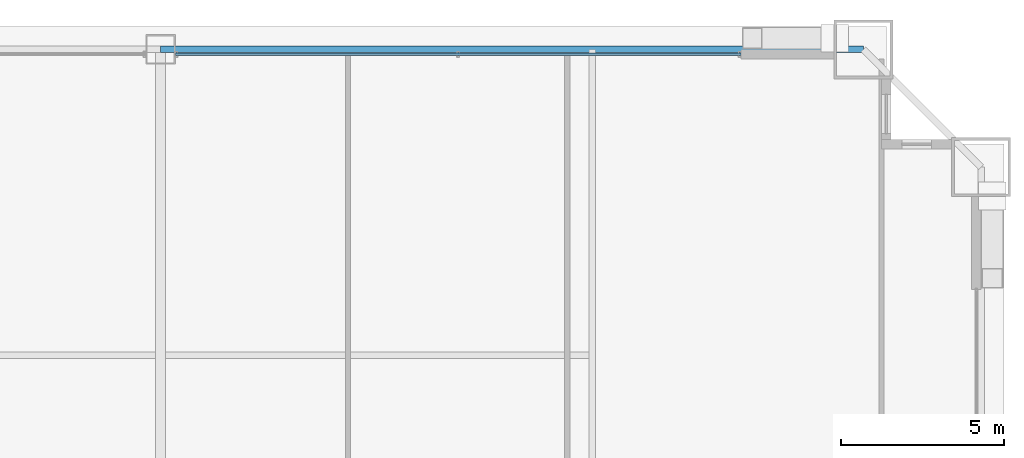
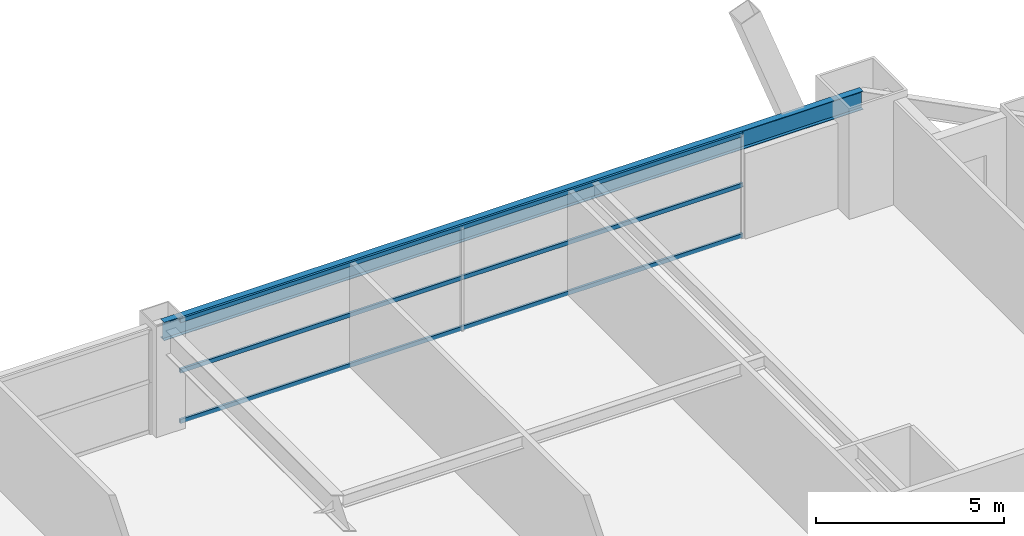
# One storey, part 36 of 43: 3 members, 1 beam, 1 element without a shape of its own.
"""IFC4 building model written with IfcOpenShell, lengths in metres."""

from ifc_helpers import new_model, si_unit, direction, frame, origin, origin_2d, place, context, subcontext, project, spatial, hollow_rectangle, i_section, extrude, source, transform, mapped, material, layer, layer_set, material_profile, profile_set, type_object, element, aggregate, save


model = new_model("IFC4")

# Units and contexts
model_context = context("Model", 3, precision=1e-05, world=origin(), true_north=direction((0.0, 1.0)))
body_context = subcontext(model_context, "Body", "Model", "MODEL_VIEW")
ifc_project = project(units=[si_unit("LENGTHUNIT", "METRE"), si_unit("AREAUNIT", "SQUARE_METRE"), si_unit("VOLUMEUNIT", "CUBIC_METRE"), si_unit("PLANEANGLEUNIT", "RADIAN"), si_unit("MASSUNIT", "GRAM", prefix="KILO"), si_unit("THERMODYNAMICTEMPERATUREUNIT", "KELVIN"), si_unit("POWERUNIT", "WATT")], contexts=[model_context])

# Site, building, storey
site_placement = place(None, origin())
site = spatial("IfcSite", under=ifc_project, at=site_placement, CompositionType="ELEMENT")
building_placement = place(site_placement, origin())
building = spatial("IfcBuilding", under=site, at=building_placement, Name="Yuzanri Waterfront Tower", CompositionType="ELEMENT")
storey_placement = place(building_placement, frame((0.0, 0.0, 60.39990234375)))
storey = spatial("IfcBuildingStorey", under=building, at=storey_placement, Name="L15", CompositionType="ELEMENT", Elevation=60.39990234375)

# Beam
ifc_material_1 = material(Name="Steel Q355B", Category="steel")
ifc_material_profile_1 = material_profile(ifc_material_1, i_section(OverallWidth=0.199951171875, OverallDepth=0.60009765625, WebThickness=0.010986328125, FlangeThickness=0.01708984375, at=origin_2d()), Name="HN 600x200x11x17")
ifc_profile_set_1 = profile_set([ifc_material_profile_1], Name="Steel Q355B")
beam_type = type_object("IfcBeamType", Name="Perimeter Spandrel Q355B HN 600x200", PredefinedType="SPANDREL", material=ifc_profile_set_1)
shared_shape_1 = source(origin(), body_context, "Body", "SweptSolid", [
    extrude(i_section(OverallWidth=0.199951171875, OverallDepth=0.60009765625, WebThickness=0.010986328125, FlangeThickness=0.01708984375, at=origin_2d()), origin(), (0.0, 0.0, 1.0), 21.5),
])
beam_placement = place(storey_placement, frame((58.5, 50.89990234375, 3.080078125), z_axis=(-1.0, 0.0, 0.0), x_axis=(0.0, -1.0, 0.0)))
element("IfcBeam", 1, at=beam_placement, inside=storey, type_object=beam_type, Name="L15 Perimeter Spandrel N3-N2", PredefinedType="SPANDREL", context=body_context, shape_type="MappedRepresentation", body=[
    mapped(shared_shape_1, transform((0.0, 0.0, 0.0), scale=1.0)),
])

# Curtain wall, members
ifc_material_2 = material(Name="Anodized Architectural Bronze", Category="metal")
ifc_layer = layer(ifc_material_2, 0.159912109375)
ifc_layer_set = layer_set([ifc_layer], Name="Anodized Architectural Bronze")
curtain_wall_type = type_object("IfcCurtainWallType", Name="Anodized Bronze Hotel Lower-Tier Recessed Unitized Curtain Wall 8100", PredefinedType="NOTDEFINED", material=ifc_layer_set)
curtain_wall_placement = place(storey_placement, origin())
curtain_wall = element("IfcCurtainWall", 2, at=curtain_wall_placement, inside=storey, type_object=curtain_wall_type, Name="L15 Curtain Wall CW-L15-NR", PredefinedType="NOTDEFINED")
ifc_material_3 = material(Name="Anodized Architectural Bronze", Category="metal")
ifc_material_profile_2 = material_profile(ifc_material_3, hollow_rectangle(XDim=0.070068359375, YDim=0.135009765625, WallThickness=0.00341796875, at=origin_2d()), Name="CWT 70x135")
ifc_profile_set_2 = profile_set([ifc_material_profile_2], Name="Anodized Architectural Bronze")
member_type = type_object("IfcMemberType", Name="Anodized Bronze Standard Curtain-Wall Transom 70x135", PredefinedType="USERDEFINED", material=ifc_profile_set_2)
shared_shape_2 = source(origin(), body_context, "Body", "SweptSolid", [
    extrude(hollow_rectangle(XDim=0.070068359375, YDim=0.135009765625, WallThickness=0.00341796875, at=origin_2d()), origin(), (0.0, 0.0, 1.0), 17.300048828125),
])
member_1_placement = place(storey_placement, frame((37.449951171875, 50.75, 0.050048828125), z_axis=(1.0, 0.0, 0.0), x_axis=(0.0, 1.0, 0.0)))
member_1 = element("IfcMember", 3, at=member_1_placement, type_object=member_type, Name="CW-L15-NR Transom 1", ObjectType="TRANSOM", PredefinedType="USERDEFINED", context=body_context, shape_type="MappedRepresentation", body=[
    mapped(shared_shape_2, transform((0.0, 0.0, 0.0), scale=1.0)),
])
member_2_placement = place(storey_placement, frame((37.449951171875, 50.75, 1.690185546875), z_axis=(1.0, 0.0, 0.0), x_axis=(0.0, 1.0, 0.0)))
member_2 = element("IfcMember", 4, at=member_2_placement, type_object=member_type, Name="CW-L15-NR Transom 2", ObjectType="TRANSOM", PredefinedType="USERDEFINED", context=body_context, shape_type="MappedRepresentation", body=[
    mapped(shared_shape_2, transform((0.0, 0.0, 0.0), scale=1.0)),
])
member_3_placement = place(storey_placement, frame((37.449951171875, 50.75, 3.330078125), z_axis=(1.0, 0.0, 0.0), x_axis=(0.0, 1.0, 0.0)))
member_3 = element("IfcMember", 5, at=member_3_placement, type_object=member_type, Name="CW-L15-NR Transom 3", ObjectType="TRANSOM", PredefinedType="USERDEFINED", context=body_context, shape_type="MappedRepresentation", body=[
    mapped(shared_shape_2, transform((0.0, 0.0, 0.0), scale=1.0)),
])
aggregate(curtain_wall, [member_1, member_2, member_3])

save(model, "model.ifc")
